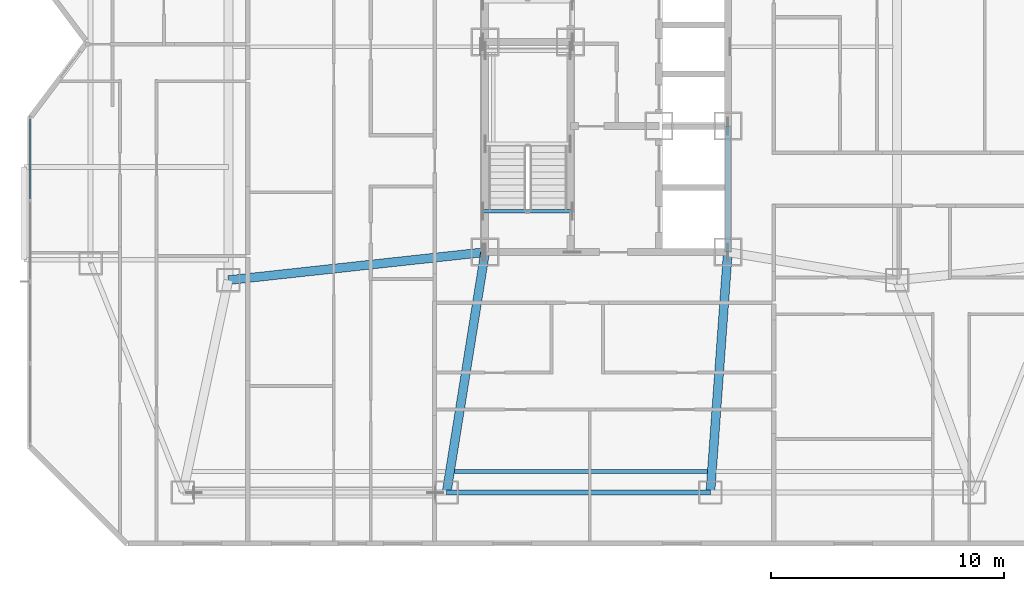
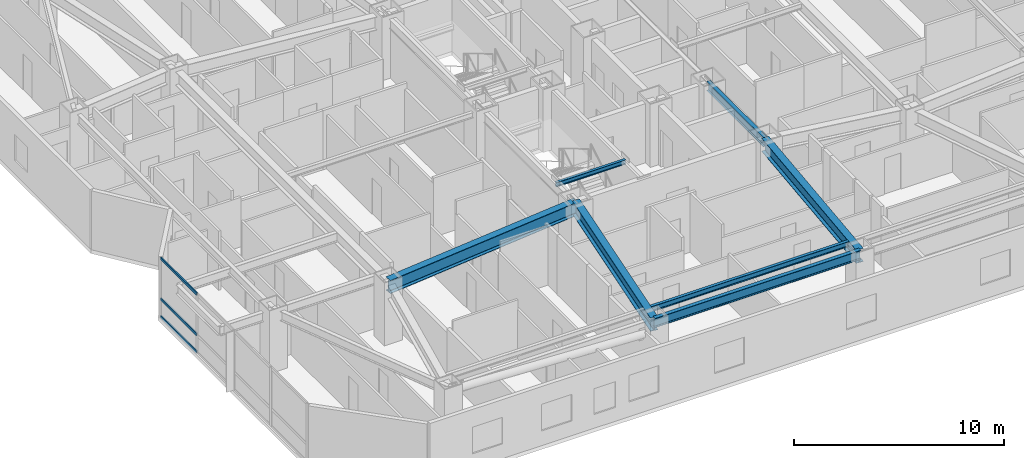
# One storey, part 5 of 18: 7 beams, 3 members, 1 element without a shape of its own.
"""IFC4 building model written with IfcOpenShell, lengths in metres."""

import ifcopenshell
import ifcopenshell.guid

model = None  # the IFC model being written
_history = None  # IfcOwnerHistory: only IFC2X3 demands one
_inside = {}  # id of a spatial element -> (the spatial element, [elements in it])
_under = {}  # id of a project, library or spatial element -> (it, [spatial elements below it])
_declared = {}  # id of a project -> (the project, [libraries it declares])
_typed = {}  # id of a type object -> (the type object, [elements of that type])
_made_of = {}  # id of a material, layer set ... -> (it, [elements and type objects made of it])


def new_model(schema):
    """Start an empty IFC model of exactly this schema.

    Asked for "IFC4X3", IfcOpenShell would pick the latest addendum, in which some entities
    have other attributes; the version numbers below select the first issue.
    IFC2X3 requires an IfcOwnerHistory on every rooted entity: one is made here for all.
    """
    global model, _history
    if schema == "IFC4X3":
        model = ifcopenshell.file(schema_version=(4, 3, 0, 0))
    else:
        model = ifcopenshell.file(schema=schema)
    _inside.clear()
    _under.clear()
    _declared.clear()
    _typed.clear()
    _made_of.clear()
    _history = None
    if model.schema == "IFC2X3":
        org = make("IfcOrganization", Name="unknown")
        user = make(
            "IfcPersonAndOrganization",
            ThePerson=make("IfcPerson", FamilyName="unknown"),
            TheOrganization=org,
        )
        app = make(
            "IfcApplication",
            ApplicationDeveloper=org,
            Version="unknown",
            ApplicationFullName="unknown",
            ApplicationIdentifier="unknown",
        )
        _history = make(
            "IfcOwnerHistory",
            OwningUser=user,
            OwningApplication=app,
            ChangeAction="ADDED",
            CreationDate=0,
        )
    return model


def make(cls, **values):
    """One entity of the class cls with the attributes given. An attribute that is None is left unset."""
    return model.create_entity(
        cls, **{name: value for name, value in values.items() if value is not None}
    )


def rooted(cls, **values):
    """An entity with a GlobalId (a new one), such as an element, a storey or a relation."""
    return make(cls, GlobalId=ifcopenshell.guid.new(), OwnerHistory=_history, **values)


def si_unit(unit_type, name, prefix=None):
    """IfcSIUnit, for example si_unit("LENGTHUNIT", "METRE", prefix="MILLI")."""
    return make("IfcSIUnit", UnitType=unit_type, Prefix=prefix, Name=name)


def assignment(units):
    """IfcUnitAssignment: the units of a project."""
    return None if units is None else make("IfcUnitAssignment", Units=units)


def point(xyz):
    """IfcCartesianPoint."""
    return None if xyz is None else make("IfcCartesianPoint", Coordinates=xyz)


def direction(xyz):
    """IfcDirection."""
    return None if xyz is None else make("IfcDirection", DirectionRatios=xyz)


def frame(location, z_axis=None, x_axis=None):
    """IfcAxis2Placement3D, a coordinate frame: its origin and axes. An axis left out is left unset."""
    return make(
        "IfcAxis2Placement3D",
        Location=point(location),
        Axis=direction(z_axis),
        RefDirection=direction(x_axis),
    )


def frame_2d(location, x_axis=None):
    """IfcAxis2Placement2D, a coordinate frame in the plane: its origin and x axis."""
    return make(
        "IfcAxis2Placement2D", Location=point(location), RefDirection=direction(x_axis)
    )


def origin():
    """The frame at (0, 0, 0) with its axes left unset."""
    return frame((0.0, 0.0, 0.0))


def origin_2d():
    """The frame at (0, 0) in the plane with its x axis left unset."""
    return frame_2d((0.0, 0.0))


def place(relative_to, where):
    """IfcLocalPlacement: puts the frame where relative to a parent placement (None: the world)."""
    return make(
        "IfcLocalPlacement", PlacementRelTo=relative_to, RelativePlacement=where
    )


def context(
    kind, dimensions, precision=None, world=None, true_north=None, identifier=None
):
    """IfcGeometricRepresentationContext, for example the 3D "Model" context."""
    return make(
        "IfcGeometricRepresentationContext",
        ContextIdentifier=identifier,
        ContextType=kind,
        CoordinateSpaceDimension=dimensions,
        Precision=precision,
        WorldCoordinateSystem=world,
        TrueNorth=true_north,
    )


def subcontext(parent, identifier, kind, view, scale=None):
    """IfcGeometricRepresentationSubContext, for example "Body" below "Model"."""
    return make(
        "IfcGeometricRepresentationSubContext",
        ContextIdentifier=identifier,
        ContextType=kind,
        ParentContext=parent,
        TargetScale=scale,
        TargetView=view,
    )


def project(units=None, contexts=None):
    """IfcProject with its units and contexts."""
    return rooted(
        "IfcProject",
        Name="project",
        RepresentationContexts=contexts,
        UnitsInContext=assignment(units),
    )


def spatial(cls, under=None, at=None, **own):
    """A site, building, storey or space (cls), placed at a placement, below another one or the project."""
    s = rooted(cls, ObjectPlacement=at, **own)
    if under is not None:
        _under.setdefault(under.id(), (under, []))[1].append(s)
    return s


def profile(cls, at=None, kind="AREA", **sizes):
    """A parametric profile (cls). Its sizes go by their IFC names, for example OverallWidth=200.0."""
    return make(cls, ProfileType=kind, Position=at, **sizes)


def hollow_rectangle(**sizes):
    """IfcRectangleHollowProfileDef."""
    return profile("IfcRectangleHollowProfileDef", **sizes)


def i_section(**sizes):
    """IfcIShapeProfileDef."""
    return profile("IfcIShapeProfileDef", **sizes)


def extrude(swept, where, along, depth):
    """IfcExtrudedAreaSolid: the profile swept, set in the frame where, extruded along a direction by depth."""
    return make(
        "IfcExtrudedAreaSolid",
        SweptArea=swept,
        Position=where,
        ExtrudedDirection=direction(along),
        Depth=depth,
    )


def shape(context_of_items, identifier, shape_type, items):
    """IfcShapeRepresentation: the items that make up one representation, for example the "Body"."""
    return make(
        "IfcShapeRepresentation",
        ContextOfItems=context_of_items,
        RepresentationIdentifier=identifier,
        RepresentationType=shape_type,
        Items=items,
    )


def material(Name=None, Category=None):
    """IfcMaterial."""
    return make("IfcMaterial", Name=Name, Category=Category)


def material_profile(
    of_material, cross_section, Name=None, Category=None, Priority=None
):
    """IfcMaterialProfile: a cross section and its material."""
    return make(
        "IfcMaterialProfile",
        Name=Name,
        Material=of_material,
        Profile=cross_section,
        Priority=Priority,
        Category=Category,
    )


def profile_set(profiles, Name=None, composite=None):
    """IfcMaterialProfileSet."""
    return make(
        "IfcMaterialProfileSet",
        Name=Name,
        MaterialProfiles=profiles,
        CompositeProfile=composite,
    )


def made_of(thing, what):
    """Note that an element or type object is made of a material, layer set ...; save() writes the relation."""
    if what is not None:
        _made_of.setdefault(what.id(), (what, []))[1].append(thing)
    return thing


def type_object(cls, material=None, **own):
    """A type object (cls), such as IfcWallType, which elements share."""
    return made_of(rooted(cls, **own), material)


def element(
    cls,
    number,
    at=None,
    inside=None,
    cuts=None,
    type_object=None,
    material=None,
    context=None,
    identifier="Body",
    shape_type=None,
    held_by="IfcProductDefinitionShape",
    body=None,
    shapes=None,
    **own,
):
    """One element of the class cls, such as IfcWall. Its Tag is "e" and its number.

    at: its placement. inside: the storey or other place that contains it. cuts: it is an
    opening in that element (IfcRelVoidsElement). A single representation is given by context,
    identifier, shape_type and body (its items); several are given by shapes. held_by: the class
    of the entity that holds the representations. save() writes the other relations.
    """
    e = rooted(cls, Tag="e%d" % number, ObjectPlacement=at, **own)
    if body is not None:
        shapes = [shape(context, identifier, shape_type, body)]
    if shapes is not None:
        e.Representation = make(held_by, Representations=shapes)
    if inside is not None:
        _inside.setdefault(inside.id(), (inside, []))[1].append(e)
    if cuts is not None:
        rooted(
            "IfcRelVoidsElement", RelatingBuildingElement=cuts, RelatedOpeningElement=e
        )
    if type_object is not None:
        _typed.setdefault(type_object.id(), (type_object, []))[1].append(e)
    return made_of(e, material)


def aggregate(whole, parts):
    """IfcRelAggregates: a whole, such as a stair, and the parts it consists of."""
    return rooted("IfcRelAggregates", RelatingObject=whole, RelatedObjects=parts)


def save(model, path):
    """Write the relations noted so far, then the file.

    IfcRelAggregates (storeys below a building ...), IfcRelContainedInSpatialStructure (elements
    in a storey), IfcRelDefinesByType, IfcRelAssociatesMaterial and IfcRelDeclares: one each for
    every whole, place, type object, material and project.
    """
    for whole, parts in _under.values():
        aggregate(whole, parts)
    for where, things in _inside.values():
        rooted(
            "IfcRelContainedInSpatialStructure",
            RelatedElements=things,
            RelatingStructure=where,
        )
    for kind, things in _typed.values():
        rooted("IfcRelDefinesByType", RelatedObjects=things, RelatingType=kind)
    for what, things in _made_of.values():
        rooted("IfcRelAssociatesMaterial", RelatedObjects=things, RelatingMaterial=what)
    for by, libraries in _declared.values():
        rooted("IfcRelDeclares", RelatingContext=by, RelatedDefinitions=libraries)
    model.write(path)


model = new_model("IFC4")

# Units and contexts
model_context = context("Model", 3, precision=1e-05, world=origin(), true_north=direction((0.0, 1.0)))
body_context = subcontext(model_context, "Body", "Model", "MODEL_VIEW")
ifc_project = project(units=[si_unit("LENGTHUNIT", "METRE"), si_unit("AREAUNIT", "SQUARE_METRE"), si_unit("VOLUMEUNIT", "CUBIC_METRE"), si_unit("PLANEANGLEUNIT", "RADIAN"), si_unit("MASSUNIT", "GRAM", prefix="KILO")], contexts=[model_context])

# Site, building, storey
site_placement = place(None, origin())
site = spatial("IfcSite", under=ifc_project, at=site_placement, CompositionType="ELEMENT")
building_placement = place(site_placement, origin())
building = spatial("IfcBuilding", under=site, at=building_placement, Name="Khamvora Tower", CompositionType="ELEMENT")
storey_placement = place(building_placement, frame((0.0, 0.0, 109.199951171875)))
storey = spatial("IfcBuildingStorey", under=building, at=storey_placement, Name="L27", CompositionType="ELEMENT", Elevation=109.199951171875)

# Beams
ifc_material_1 = material(Name="Steel S355", Category="steel")
ifc_material_profile_1 = material_profile(ifc_material_1, i_section(OverallWidth=0.166015625, OverallDepth=0.31298828125, WebThickness=0.007080078125, FlangeThickness=0.010986328125, FilletRadius=0.010009765625, at=origin_2d()), Name="W310x45")
ifc_profile_set_1 = profile_set([ifc_material_profile_1], Name="Steel S355")
beam_type_1 = type_object("IfcBeamType", Name="BM-JS-W310x45", PredefinedType="JOIST", material=ifc_profile_set_1)
beam_1_placement = place(storey_placement, frame((27.681884765625, 9.60009765625, 3.274169921875), z_axis=(1.0, 0.0, 0.0), x_axis=(0.0, 1.0, 0.0)))
element("IfcBeam", 1, at=beam_1_placement, inside=storey, type_object=beam_type_1, Name="L27 secondary floor joist 02", PredefinedType="JOIST", context=body_context, shape_type="SweptSolid", body=[
    extrude(i_section(OverallWidth=0.166015625, OverallDepth=0.31298828125, WebThickness=0.007080078125, FlangeThickness=0.010986328125, FilletRadius=0.010009765625, at=origin_2d()), origin(), (0.0, 0.0, 1.0), 10.84814453125),
])
ifc_material_profile_2 = material_profile(ifc_material_1, i_section(OverallWidth=0.14697265625, OverallDepth=0.261962890625, WebThickness=0.007080078125, FlangeThickness=0.010986328125, FilletRadius=0.008056640625, at=origin_2d()), Name="W250x39")
ifc_profile_set_2 = profile_set([ifc_material_profile_2], Name="Steel S355")
beam_type_2 = type_object("IfcBeamType", Name="BM-LN-W250x39", PredefinedType="LINTEL", material=ifc_profile_set_2)
beam_2_placement = place(storey_placement, frame((28.89990234375, 20.75, 3.303955078125), z_axis=(1.0, 0.0, 0.0), x_axis=(0.0, 1.0, 0.0)))
element("IfcBeam", 2, at=beam_2_placement, inside=storey, type_object=beam_type_2, Name="L27 exit stair ST-01 landing trimmer beam", PredefinedType="LINTEL", context=body_context, shape_type="SweptSolid", body=[
    extrude(i_section(OverallWidth=0.14697265625, OverallDepth=0.261962890625, WebThickness=0.007080078125, FlangeThickness=0.010986328125, FilletRadius=0.008056640625, at=origin_2d()), origin(), (0.0, 0.0, 1.0), 3.830078125),
])
ifc_material_profile_3 = material_profile(ifc_material_1, i_section(OverallWidth=0.381103515625, OverallDepth=0.77294921875, WebThickness=0.01708984375, FlangeThickness=0.027099609375, FilletRadius=0.01806640625, at=origin_2d()), Name="W760x257")
ifc_profile_set_3 = profile_set([ifc_material_profile_3], Name="Steel S355")
beam_type_3 = type_object("IfcBeamType", Name="BM-PG-W760x257", PredefinedType="BEAM", material=ifc_profile_set_3)
beam_3_placement = place(storey_placement, frame((29.0, 19.0, 3.04296875), z_axis=(-0.158167584066, -0.987412282358, 0.0), x_axis=(0.987412282358, -0.158167584066, 0.0)))
element("IfcBeam", 3, at=beam_3_placement, inside=storey, type_object=beam_type_3, Name="L27 primary floor girder S2", PredefinedType="BEAM", context=body_context, shape_type="SweptSolid", body=[
    extrude(i_section(OverallWidth=0.381103515625, OverallDepth=0.77294921875, WebThickness=0.01708984375, FlangeThickness=0.027099609375, FilletRadius=0.01806640625, at=origin_2d()), origin(), (0.0, 0.0, 1.0), 10.431396484375),
])
beam_4_placement = place(storey_placement, frame((39.39990234375, 19.0, 3.04296875), z_axis=(-0.07262291808, -0.997359469685, 0.0), x_axis=(0.997359469685, -0.07262291808, 0.0)))
element("IfcBeam", 4, at=beam_4_placement, inside=storey, type_object=beam_type_3, Name="L27 primary floor girder S3", PredefinedType="BEAM", context=body_context, shape_type="SweptSolid", body=[
    extrude(i_section(OverallWidth=0.381103515625, OverallDepth=0.77294921875, WebThickness=0.01708984375, FlangeThickness=0.027099609375, FilletRadius=0.01806640625, at=origin_2d()), origin(), (0.0, 0.0, 1.0), 10.327392578125),
])
beam_5_placement = place(storey_placement, frame((29.0, 19.0, 3.04296875), z_axis=(-0.994102652327, -0.108443149329, 0.0), x_axis=(0.108443149329, -0.994102652327, 0.0)))
element("IfcBeam", 5, at=beam_5_placement, inside=storey, type_object=beam_type_3, Name="L27 primary floor girder MW1", PredefinedType="BEAM", context=body_context, shape_type="SweptSolid", body=[
    extrude(i_section(OverallWidth=0.381103515625, OverallDepth=0.77294921875, WebThickness=0.01708984375, FlangeThickness=0.027099609375, FilletRadius=0.01806640625, at=origin_2d()), origin(), (0.0, 0.0, 1.0), 11.065185546875),
])
ifc_material_profile_4 = material_profile(ifc_material_1, i_section(OverallWidth=0.2119140625, OverallDepth=0.5439453125, WebThickness=0.012939453125, FlangeThickness=0.02099609375, FilletRadius=0.013916015625, at=origin_2d()), Name="W530x123")
ifc_profile_set_4 = profile_set([ifc_material_profile_4], Name="Steel S355")
beam_type_4 = type_object("IfcBeamType", Name="BM-SP-W530x123", PredefinedType="SPANDREL", material=ifc_profile_set_4)
beam_6_placement = place(storey_placement, frame((27.35009765625, 8.699951171875, 3.157958984375), z_axis=(1.0, 0.0, 0.0), x_axis=(0.0, 1.0, 0.0)))
element("IfcBeam", 6, at=beam_6_placement, inside=storey, type_object=beam_type_4, Name="L27 perimeter spandrel beam S2-S3", PredefinedType="SPANDREL", context=body_context, shape_type="SweptSolid", body=[
    extrude(i_section(OverallWidth=0.2119140625, OverallDepth=0.5439453125, WebThickness=0.012939453125, FlangeThickness=0.02099609375, FilletRadius=0.013916015625, at=origin_2d()), origin(), (0.0, 0.0, 1.0), 11.2998046875),
])
ifc_material_profile_5 = material_profile(ifc_material_1, i_section(OverallWidth=0.208984375, OverallDepth=0.532958984375, WebThickness=0.010009765625, FlangeThickness=0.01611328125, FilletRadius=0.013916015625, at=origin_2d()), Name="W530x92")
ifc_profile_set_5 = profile_set([ifc_material_profile_5], Name="Steel S355")
beam_type_5 = type_object("IfcBeamType", Name="BM-SP-W530x92", PredefinedType="SPANDREL", material=ifc_profile_set_5)
beam_7_placement = place(storey_placement, frame((39.39990234375, 19.0, 3.1640625), z_axis=(0.0, 1.0, 0.0), x_axis=(-1.0, 0.0, 0.0)))
element("IfcBeam", 7, at=beam_7_placement, inside=storey, type_object=beam_type_5, Name="L27 core spine girder ES", PredefinedType="SPANDREL", context=body_context, shape_type="SweptSolid", body=[
    extrude(i_section(OverallWidth=0.208984375, OverallDepth=0.532958984375, WebThickness=0.010009765625, FlangeThickness=0.01611328125, FilletRadius=0.013916015625, at=origin_2d()), origin(), (0.0, 0.0, 1.0), 5.39990234375),
])

# Curtain wall, members
ifc_material_2 = material(Name="Anodised Aluminium 6063-T6", Category="aluminium")
curtain_wall_type = type_object("IfcCurtainWallType", Name="CW-SYS-03", PredefinedType="NOTDEFINED", material=ifc_material_2)
curtain_wall_placement = place(storey_placement, origin())
curtain_wall = element("IfcCurtainWall", 8, at=curtain_wall_placement, inside=storey, type_object=curtain_wall_type, Name="L27 stick curtain wall 02.1", PredefinedType="NOTDEFINED")
ifc_material_profile_6 = material_profile(ifc_material_2, hollow_rectangle(XDim=0.06494140625, YDim=0.155029296875, WallThickness=0.0048828125, at=origin_2d()), Name="TRN65x155x5")
ifc_profile_set_6 = profile_set([ifc_material_profile_6], Name="Anodised Aluminium 6063-T6")
member_type = type_object("IfcMemberType", Name="CW-SYS-03-TRN", PredefinedType="USERDEFINED", material=ifc_profile_set_6)
member_1_placement = place(storey_placement, frame((9.510009765625, 21.283935546875, 0.032470703125), z_axis=(0.0, 1.0, 0.0), x_axis=(-1.0, 0.0, 0.0)))
member_1 = element("IfcMember", 9, at=member_1_placement, type_object=member_type, Name="CW-03 transom 4.1", ObjectType="TRANSOM", PredefinedType="USERDEFINED", context=body_context, shape_type="SweptSolid", body=[
    extrude(hollow_rectangle(XDim=0.06494140625, YDim=0.155029296875, WallThickness=0.0048828125, at=origin_2d()), origin(), (0.0, 0.0, 1.0), 3.4140625),
])
member_2_placement = place(storey_placement, frame((9.510009765625, 21.283935546875, 1.050048828125), z_axis=(0.0, 1.0, 0.0), x_axis=(-1.0, 0.0, 0.0)))
member_2 = element("IfcMember", 10, at=member_2_placement, type_object=member_type, Name="CW-03 transom 4.2", ObjectType="TRANSOM", PredefinedType="USERDEFINED", context=body_context, shape_type="SweptSolid", body=[
    extrude(hollow_rectangle(XDim=0.06494140625, YDim=0.155029296875, WallThickness=0.0048828125, at=origin_2d()), origin(), (0.0, 0.0, 1.0), 3.4140625),
])
member_3_placement = place(storey_placement, frame((9.510009765625, 21.283935546875, 3.3974609375), z_axis=(0.0, 1.0, 0.0), x_axis=(-1.0, 0.0, 0.0)))
member_3 = element("IfcMember", 11, at=member_3_placement, type_object=member_type, Name="CW-03 transom 4.3", ObjectType="TRANSOM", PredefinedType="USERDEFINED", context=body_context, shape_type="SweptSolid", body=[
    extrude(hollow_rectangle(XDim=0.06494140625, YDim=0.155029296875, WallThickness=0.0048828125, at=origin_2d()), origin(), (0.0, 0.0, 1.0), 3.4140625),
])
aggregate(curtain_wall, [member_1, member_2, member_3])

save(model, "model.ifc")
